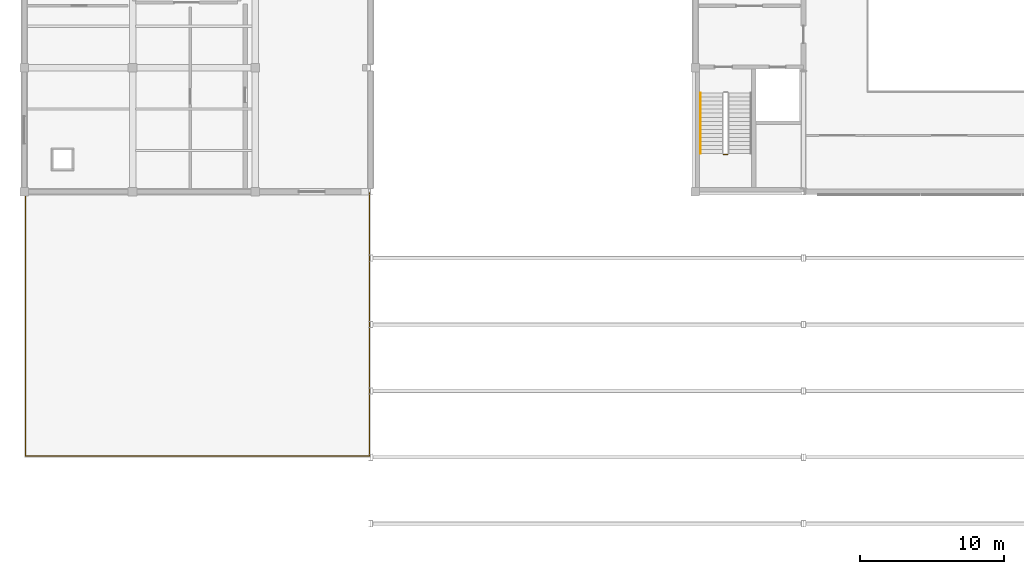
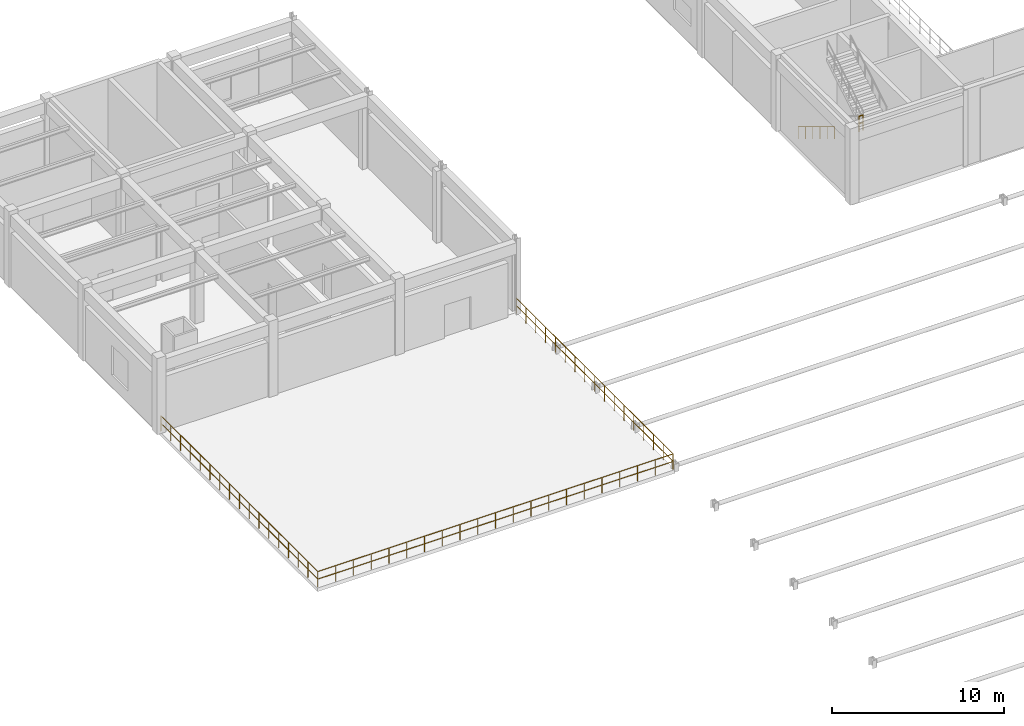
# One storey, part 36 of 38: 5 railings.
"""IFC4 building model written with IfcOpenShell, lengths in metres."""

import ifcopenshell
import ifcopenshell.guid

model = None  # the IFC model being written
_history = None  # IfcOwnerHistory: only IFC2X3 demands one
_inside = {}  # id of a spatial element -> (the spatial element, [elements in it])
_under = {}  # id of a project, library or spatial element -> (it, [spatial elements below it])
_declared = {}  # id of a project -> (the project, [libraries it declares])
_typed = {}  # id of a type object -> (the type object, [elements of that type])
_made_of = {}  # id of a material, layer set ... -> (it, [elements and type objects made of it])


def new_model(schema):
    """Start an empty IFC model of exactly this schema.

    Asked for "IFC4X3", IfcOpenShell would pick the latest addendum, in which some entities
    have other attributes; the version numbers below select the first issue.
    IFC2X3 requires an IfcOwnerHistory on every rooted entity: one is made here for all.
    """
    global model, _history
    if schema == "IFC4X3":
        model = ifcopenshell.file(schema_version=(4, 3, 0, 0))
    else:
        model = ifcopenshell.file(schema=schema)
    _inside.clear()
    _under.clear()
    _declared.clear()
    _typed.clear()
    _made_of.clear()
    _history = None
    if model.schema == "IFC2X3":
        org = make("IfcOrganization", Name="unknown")
        user = make(
            "IfcPersonAndOrganization",
            ThePerson=make("IfcPerson", FamilyName="unknown"),
            TheOrganization=org,
        )
        app = make(
            "IfcApplication",
            ApplicationDeveloper=org,
            Version="unknown",
            ApplicationFullName="unknown",
            ApplicationIdentifier="unknown",
        )
        _history = make(
            "IfcOwnerHistory",
            OwningUser=user,
            OwningApplication=app,
            ChangeAction="ADDED",
            CreationDate=0,
        )
    return model


def make(cls, **values):
    """One entity of the class cls with the attributes given. An attribute that is None is left unset."""
    return model.create_entity(
        cls, **{name: value for name, value in values.items() if value is not None}
    )


def rooted(cls, **values):
    """An entity with a GlobalId (a new one), such as an element, a storey or a relation."""
    return make(cls, GlobalId=ifcopenshell.guid.new(), OwnerHistory=_history, **values)


def si_unit(unit_type, name, prefix=None):
    """IfcSIUnit, for example si_unit("LENGTHUNIT", "METRE", prefix="MILLI")."""
    return make("IfcSIUnit", UnitType=unit_type, Prefix=prefix, Name=name)


def assignment(units):
    """IfcUnitAssignment: the units of a project."""
    return None if units is None else make("IfcUnitAssignment", Units=units)


def point(xyz):
    """IfcCartesianPoint."""
    return None if xyz is None else make("IfcCartesianPoint", Coordinates=xyz)


def direction(xyz):
    """IfcDirection."""
    return None if xyz is None else make("IfcDirection", DirectionRatios=xyz)


def frame(location, z_axis=None, x_axis=None):
    """IfcAxis2Placement3D, a coordinate frame: its origin and axes. An axis left out is left unset."""
    return make(
        "IfcAxis2Placement3D",
        Location=point(location),
        Axis=direction(z_axis),
        RefDirection=direction(x_axis),
    )


def frame_2d(location, x_axis=None):
    """IfcAxis2Placement2D, a coordinate frame in the plane: its origin and x axis."""
    return make(
        "IfcAxis2Placement2D", Location=point(location), RefDirection=direction(x_axis)
    )


def origin():
    """The frame at (0, 0, 0) with its axes left unset."""
    return frame((0.0, 0.0, 0.0))


def origin_2d():
    """The frame at (0, 0) in the plane with its x axis left unset."""
    return frame_2d((0.0, 0.0))


def place(relative_to, where):
    """IfcLocalPlacement: puts the frame where relative to a parent placement (None: the world)."""
    return make(
        "IfcLocalPlacement", PlacementRelTo=relative_to, RelativePlacement=where
    )


def context(
    kind, dimensions, precision=None, world=None, true_north=None, identifier=None
):
    """IfcGeometricRepresentationContext, for example the 3D "Model" context."""
    return make(
        "IfcGeometricRepresentationContext",
        ContextIdentifier=identifier,
        ContextType=kind,
        CoordinateSpaceDimension=dimensions,
        Precision=precision,
        WorldCoordinateSystem=world,
        TrueNorth=true_north,
    )


def subcontext(parent, identifier, kind, view, scale=None):
    """IfcGeometricRepresentationSubContext, for example "Body" below "Model"."""
    return make(
        "IfcGeometricRepresentationSubContext",
        ContextIdentifier=identifier,
        ContextType=kind,
        ParentContext=parent,
        TargetScale=scale,
        TargetView=view,
    )


def project(units=None, contexts=None):
    """IfcProject with its units and contexts."""
    return rooted(
        "IfcProject",
        Name="project",
        RepresentationContexts=contexts,
        UnitsInContext=assignment(units),
    )


def spatial(cls, under=None, at=None, **own):
    """A site, building, storey or space (cls), placed at a placement, below another one or the project."""
    s = rooted(cls, ObjectPlacement=at, **own)
    if under is not None:
        _under.setdefault(under.id(), (under, []))[1].append(s)
    return s


def profile(cls, at=None, kind="AREA", **sizes):
    """A parametric profile (cls). Its sizes go by their IFC names, for example OverallWidth=200.0."""
    return make(cls, ProfileType=kind, Position=at, **sizes)


def circle(**sizes):
    """IfcCircleProfileDef."""
    return profile("IfcCircleProfileDef", **sizes)


def extrude(swept, where, along, depth):
    """IfcExtrudedAreaSolid: the profile swept, set in the frame where, extruded along a direction by depth."""
    return make(
        "IfcExtrudedAreaSolid",
        SweptArea=swept,
        Position=where,
        ExtrudedDirection=direction(along),
        Depth=depth,
    )


def shape(context_of_items, identifier, shape_type, items):
    """IfcShapeRepresentation: the items that make up one representation, for example the "Body"."""
    return make(
        "IfcShapeRepresentation",
        ContextOfItems=context_of_items,
        RepresentationIdentifier=identifier,
        RepresentationType=shape_type,
        Items=items,
    )


def material(Name=None, Category=None):
    """IfcMaterial."""
    return make("IfcMaterial", Name=Name, Category=Category)


def made_of(thing, what):
    """Note that an element or type object is made of a material, layer set ...; save() writes the relation."""
    if what is not None:
        _made_of.setdefault(what.id(), (what, []))[1].append(thing)
    return thing


def type_object(cls, material=None, **own):
    """A type object (cls), such as IfcWallType, which elements share."""
    return made_of(rooted(cls, **own), material)


def element(
    cls,
    number,
    at=None,
    inside=None,
    cuts=None,
    type_object=None,
    material=None,
    context=None,
    identifier="Body",
    shape_type=None,
    held_by="IfcProductDefinitionShape",
    body=None,
    shapes=None,
    **own,
):
    """One element of the class cls, such as IfcWall. Its Tag is "e" and its number.

    at: its placement. inside: the storey or other place that contains it. cuts: it is an
    opening in that element (IfcRelVoidsElement). A single representation is given by context,
    identifier, shape_type and body (its items); several are given by shapes. held_by: the class
    of the entity that holds the representations. save() writes the other relations.
    """
    e = rooted(cls, Tag="e%d" % number, ObjectPlacement=at, **own)
    if body is not None:
        shapes = [shape(context, identifier, shape_type, body)]
    if shapes is not None:
        e.Representation = make(held_by, Representations=shapes)
    if inside is not None:
        _inside.setdefault(inside.id(), (inside, []))[1].append(e)
    if cuts is not None:
        rooted(
            "IfcRelVoidsElement", RelatingBuildingElement=cuts, RelatedOpeningElement=e
        )
    if type_object is not None:
        _typed.setdefault(type_object.id(), (type_object, []))[1].append(e)
    return made_of(e, material)


def aggregate(whole, parts):
    """IfcRelAggregates: a whole, such as a stair, and the parts it consists of."""
    return rooted("IfcRelAggregates", RelatingObject=whole, RelatedObjects=parts)


def save(model, path):
    """Write the relations noted so far, then the file.

    IfcRelAggregates (storeys below a building ...), IfcRelContainedInSpatialStructure (elements
    in a storey), IfcRelDefinesByType, IfcRelAssociatesMaterial and IfcRelDeclares: one each for
    every whole, place, type object, material and project.
    """
    for whole, parts in _under.values():
        aggregate(whole, parts)
    for where, things in _inside.values():
        rooted(
            "IfcRelContainedInSpatialStructure",
            RelatedElements=things,
            RelatingStructure=where,
        )
    for kind, things in _typed.values():
        rooted("IfcRelDefinesByType", RelatedObjects=things, RelatingType=kind)
    for what, things in _made_of.values():
        rooted("IfcRelAssociatesMaterial", RelatedObjects=things, RelatingMaterial=what)
    for by, libraries in _declared.values():
        rooted("IfcRelDeclares", RelatingContext=by, RelatedDefinitions=libraries)
    model.write(path)


model = new_model("IFC4")

# Units and contexts
model_context = context("Model", 3, precision=1e-05, world=origin(), true_north=direction((0.0, 1.0)))
body_context = subcontext(model_context, "Body", "Model", "MODEL_VIEW")
ifc_project = project(units=[si_unit("LENGTHUNIT", "METRE"), si_unit("AREAUNIT", "SQUARE_METRE"), si_unit("VOLUMEUNIT", "CUBIC_METRE"), si_unit("PLANEANGLEUNIT", "RADIAN"), si_unit("MASSUNIT", "GRAM", prefix="KILO")], contexts=[model_context])

# Site, building, storey
site_placement = place(None, origin())
site = spatial("IfcSite", under=ifc_project, at=site_placement, CompositionType="ELEMENT")
building_placement = place(site_placement, origin())
building = spatial("IfcBuilding", under=site, at=building_placement, Name="Muzn Square Opera House", CompositionType="ELEMENT")
storey_placement = place(building_placement, frame((0.0, 0.0, 18.0)))
storey = spatial("IfcBuildingStorey", under=building, at=storey_placement, Name="L04", CompositionType="ELEMENT", Elevation=18.0)

# Railings
ifc_material_1 = material(Name="Architectural bronze mashrabiya", Category="metal")
railing_type_1 = type_object("IfcRailingType", Name="Bronze Protective Balustrade 1120mm", PredefinedType="BALUSTRADE", material=ifc_material_1)
railing_1_placement = place(storey_placement, frame((19.080078125, 54.280029296875, 0.0)))
element("IfcRailing", 1, at=railing_1_placement, inside=storey, type_object=railing_type_1, Name="West Roof Terrace Balustrade L04-0185", PredefinedType="BALUSTRADE", context=body_context, shape_type="SweptSolid", body=[
    extrude(circle(Radius=0.02392578125, at=origin_2d()), frame((0.0, 0.0, 1.09619140625), z_axis=(1.0, 0.0, 0.0), x_axis=(0.0, 1.0, 0.0)), (0.0, 0.0, 1.0), 23.83984375),
    extrude(circle(Radius=0.02392578125, at=origin_2d()), frame((0.0, 0.0, 0.56005859375), z_axis=(1.0, 0.0, 0.0), x_axis=(0.0, 1.0, 0.0)), (0.0, 0.0, 1.0), 23.83984375),
    extrude(circle(Radius=0.02099609375, at=origin_2d()), origin(), (0.0, 0.0, 1.0), 1.072021484375),
    extrude(circle(Radius=0.02099609375, at=origin_2d()), frame((1.19189453125, 0.0, 0.0)), (0.0, 0.0, 1.0), 1.072021484375),
    extrude(circle(Radius=0.02099609375, at=origin_2d()), frame((2.384033203125, 0.0, 0.0)), (0.0, 0.0, 1.0), 1.072021484375),
    extrude(circle(Radius=0.02099609375, at=origin_2d()), frame((3.575927734375, 0.0, 0.0)), (0.0, 0.0, 1.0), 1.072021484375),
    extrude(circle(Radius=0.02099609375, at=origin_2d()), frame((4.76806640625, 0.0, 0.0)), (0.0, 0.0, 1.0), 1.072021484375),
    extrude(circle(Radius=0.02099609375, at=origin_2d()), frame((5.9599609375, 0.0, 0.0)), (0.0, 0.0, 1.0), 1.072021484375),
    extrude(circle(Radius=0.02099609375, at=origin_2d()), frame((7.15185546875, 0.0, 0.0)), (0.0, 0.0, 1.0), 1.072021484375),
    extrude(circle(Radius=0.02099609375, at=origin_2d()), frame((8.343994140625, 0.0, 0.0)), (0.0, 0.0, 1.0), 1.072021484375),
    extrude(circle(Radius=0.02099609375, at=origin_2d()), frame((9.535888671875, 0.0, 0.0)), (0.0, 0.0, 1.0), 1.072021484375),
    extrude(circle(Radius=0.02099609375, at=origin_2d()), frame((10.72802734375, 0.0, 0.0)), (0.0, 0.0, 1.0), 1.072021484375),
    extrude(circle(Radius=0.02099609375, at=origin_2d()), frame((11.919921875, 0.0, 0.0)), (0.0, 0.0, 1.0), 1.072021484375),
    extrude(circle(Radius=0.02099609375, at=origin_2d()), frame((13.11181640625, 0.0, 0.0)), (0.0, 0.0, 1.0), 1.072021484375),
    extrude(circle(Radius=0.02099609375, at=origin_2d()), frame((14.303955078125, 0.0, 0.0)), (0.0, 0.0, 1.0), 1.072021484375),
    extrude(circle(Radius=0.02099609375, at=origin_2d()), frame((15.495849609375, 0.0, 0.0)), (0.0, 0.0, 1.0), 1.072021484375),
    extrude(circle(Radius=0.02099609375, at=origin_2d()), frame((16.68798828125, 0.0, 0.0)), (0.0, 0.0, 1.0), 1.072021484375),
    extrude(circle(Radius=0.02099609375, at=origin_2d()), frame((17.8798828125, 0.0, 0.0)), (0.0, 0.0, 1.0), 1.072021484375),
    extrude(circle(Radius=0.02099609375, at=origin_2d()), frame((19.07177734375, 0.0, 0.0)), (0.0, 0.0, 1.0), 1.072021484375),
    extrude(circle(Radius=0.02099609375, at=origin_2d()), frame((20.263916015625, 0.0, 0.0)), (0.0, 0.0, 1.0), 1.072021484375),
    extrude(circle(Radius=0.02099609375, at=origin_2d()), frame((21.455810546875, 0.0, 0.0)), (0.0, 0.0, 1.0), 1.072021484375),
    extrude(circle(Radius=0.02099609375, at=origin_2d()), frame((22.64794921875, 0.0, 0.0)), (0.0, 0.0, 1.0), 1.072021484375),
    extrude(circle(Radius=0.02099609375, at=origin_2d()), frame((23.83984375, 0.0, 0.0)), (0.0, 0.0, 1.0), 1.072021484375),
])
railing_2_placement = place(storey_placement, frame((42.919921875, 54.280029296875, 0.0)))
element("IfcRailing", 2, at=railing_2_placement, inside=storey, type_object=railing_type_1, Name="West Roof Terrace Balustrade L04-0186", PredefinedType="BALUSTRADE", context=body_context, shape_type="SweptSolid", body=[
    extrude(circle(Radius=0.02392578125, at=origin_2d()), frame((0.0, 0.0, 1.09619140625), z_axis=(0.0, 1.0, 0.0), x_axis=(-1.0, 0.0, 0.0)), (0.0, 0.0, 1.0), 18.239990234375),
    extrude(circle(Radius=0.02392578125, at=origin_2d()), frame((0.0, 0.0, 0.56005859375), z_axis=(0.0, 1.0, 0.0), x_axis=(-1.0, 0.0, 0.0)), (0.0, 0.0, 1.0), 18.239990234375),
    extrude(circle(Radius=0.02099609375, at=origin_2d()), origin(), (0.0, 0.0, 1.0), 1.072021484375),
    extrude(circle(Radius=0.02099609375, at=origin_2d()), frame((0.0, 1.139892578125, 0.0)), (0.0, 0.0, 1.0), 1.072021484375),
    extrude(circle(Radius=0.02099609375, at=origin_2d()), frame((0.0, 2.280029296875, 0.0)), (0.0, 0.0, 1.0), 1.072021484375),
    extrude(circle(Radius=0.02099609375, at=origin_2d()), frame((0.0, 3.419921875, 0.0)), (0.0, 0.0, 1.0), 1.072021484375),
    extrude(circle(Radius=0.02099609375, at=origin_2d()), frame((0.0, 4.56005859375, 0.0)), (0.0, 0.0, 1.0), 1.072021484375),
    extrude(circle(Radius=0.02099609375, at=origin_2d()), frame((0.0, 5.699951171875, 0.0)), (0.0, 0.0, 1.0), 1.072021484375),
    extrude(circle(Radius=0.02099609375, at=origin_2d()), frame((0.0, 6.840087890625, 0.0)), (0.0, 0.0, 1.0), 1.072021484375),
    extrude(circle(Radius=0.02099609375, at=origin_2d()), frame((0.0, 7.97998046875, 0.0)), (0.0, 0.0, 1.0), 1.072021484375),
    extrude(circle(Radius=0.02099609375, at=origin_2d()), frame((0.0, 9.1201171875, 0.0)), (0.0, 0.0, 1.0), 1.072021484375),
    extrude(circle(Radius=0.02099609375, at=origin_2d()), frame((0.0, 10.260009765625, 0.0)), (0.0, 0.0, 1.0), 1.072021484375),
    extrude(circle(Radius=0.02099609375, at=origin_2d()), frame((0.0, 11.39990234375, 0.0)), (0.0, 0.0, 1.0), 1.072021484375),
    extrude(circle(Radius=0.02099609375, at=origin_2d()), frame((0.0, 12.5400390625, 0.0)), (0.0, 0.0, 1.0), 1.072021484375),
    extrude(circle(Radius=0.02099609375, at=origin_2d()), frame((0.0, 13.679931640625, 0.0)), (0.0, 0.0, 1.0), 1.072021484375),
    extrude(circle(Radius=0.02099609375, at=origin_2d()), frame((0.0, 14.820068359375, 0.0)), (0.0, 0.0, 1.0), 1.072021484375),
    extrude(circle(Radius=0.02099609375, at=origin_2d()), frame((0.0, 15.9599609375, 0.0)), (0.0, 0.0, 1.0), 1.072021484375),
    extrude(circle(Radius=0.02099609375, at=origin_2d()), frame((0.0, 17.10009765625, 0.0)), (0.0, 0.0, 1.0), 1.072021484375),
    extrude(circle(Radius=0.02099609375, at=origin_2d()), frame((0.0, 18.239990234375, 0.0)), (0.0, 0.0, 1.0), 1.072021484375),
])
railing_3_placement = place(storey_placement, frame((19.080078125, 72.52001953125, 0.0)))
element("IfcRailing", 3, at=railing_3_placement, inside=storey, type_object=railing_type_1, Name="West Roof Terrace Balustrade L04-0187", PredefinedType="BALUSTRADE", context=body_context, shape_type="SweptSolid", body=[
    extrude(circle(Radius=0.02392578125, at=origin_2d()), frame((0.0, 0.0, 1.09619140625), z_axis=(0.0, -1.0, 0.0), x_axis=(1.0, 0.0, 0.0)), (0.0, 0.0, 1.0), 18.239990234375),
    extrude(circle(Radius=0.02392578125, at=origin_2d()), frame((0.0, 0.0, 0.56005859375), z_axis=(0.0, -1.0, 0.0), x_axis=(1.0, 0.0, 0.0)), (0.0, 0.0, 1.0), 18.239990234375),
    extrude(circle(Radius=0.02099609375, at=origin_2d()), origin(), (0.0, 0.0, 1.0), 1.072021484375),
    extrude(circle(Radius=0.02099609375, at=origin_2d()), frame((0.0, -1.139892578125, 0.0)), (0.0, 0.0, 1.0), 1.072021484375),
    extrude(circle(Radius=0.02099609375, at=origin_2d()), frame((0.0, -2.280029296875, 0.0)), (0.0, 0.0, 1.0), 1.072021484375),
    extrude(circle(Radius=0.02099609375, at=origin_2d()), frame((0.0, -3.419921875, 0.0)), (0.0, 0.0, 1.0), 1.072021484375),
    extrude(circle(Radius=0.02099609375, at=origin_2d()), frame((0.0, -4.56005859375, 0.0)), (0.0, 0.0, 1.0), 1.072021484375),
    extrude(circle(Radius=0.02099609375, at=origin_2d()), frame((0.0, -5.699951171875, 0.0)), (0.0, 0.0, 1.0), 1.072021484375),
    extrude(circle(Radius=0.02099609375, at=origin_2d()), frame((0.0, -6.840087890625, 0.0)), (0.0, 0.0, 1.0), 1.072021484375),
    extrude(circle(Radius=0.02099609375, at=origin_2d()), frame((0.0, -7.97998046875, 0.0)), (0.0, 0.0, 1.0), 1.072021484375),
    extrude(circle(Radius=0.02099609375, at=origin_2d()), frame((0.0, -9.1201171875, 0.0)), (0.0, 0.0, 1.0), 1.072021484375),
    extrude(circle(Radius=0.02099609375, at=origin_2d()), frame((0.0, -10.260009765625, 0.0)), (0.0, 0.0, 1.0), 1.072021484375),
    extrude(circle(Radius=0.02099609375, at=origin_2d()), frame((0.0, -11.39990234375, 0.0)), (0.0, 0.0, 1.0), 1.072021484375),
    extrude(circle(Radius=0.02099609375, at=origin_2d()), frame((0.0, -12.5400390625, 0.0)), (0.0, 0.0, 1.0), 1.072021484375),
    extrude(circle(Radius=0.02099609375, at=origin_2d()), frame((0.0, -13.679931640625, 0.0)), (0.0, 0.0, 1.0), 1.072021484375),
    extrude(circle(Radius=0.02099609375, at=origin_2d()), frame((0.0, -14.820068359375, 0.0)), (0.0, 0.0, 1.0), 1.072021484375),
    extrude(circle(Radius=0.02099609375, at=origin_2d()), frame((0.0, -15.9599609375, 0.0)), (0.0, 0.0, 1.0), 1.072021484375),
    extrude(circle(Radius=0.02099609375, at=origin_2d()), frame((0.0, -17.10009765625, 0.0)), (0.0, 0.0, 1.0), 1.072021484375),
    extrude(circle(Radius=0.02099609375, at=origin_2d()), frame((0.0, -18.239990234375, 0.0)), (0.0, 0.0, 1.0), 1.072021484375),
])
ifc_material_2 = material(Name="Brushed stainless steel", Category="metal")
railing_type_2 = type_object("IfcRailingType", Name="Stair Guard Railing 1120mm", PredefinedType="GUARDRAIL", material=ifc_material_2)
railing_4_placement = place(storey_placement, frame((67.4599609375, 75.18994140625, 2.699951171875)))
element("IfcRailing", 4, at=railing_4_placement, inside=storey, type_object=railing_type_2, Name="L04 ST-1 stair guard 2", PredefinedType="GUARDRAIL", context=body_context, shape_type="SweptSolid", body=[
    extrude(circle(Radius=0.02392578125, at=origin_2d()), frame((0.0, 0.0, 1.076171875), z_axis=(1.0, 0.0, 0.0), x_axis=(0.0, 1.0, 0.0)), (0.0, 0.0, 1.0), 0.280029296875),
    extrude(circle(Radius=0.02392578125, at=origin_2d()), frame((0.0, 0.0, 0.550048828125), z_axis=(1.0, 0.0, 0.0), x_axis=(0.0, 1.0, 0.0)), (0.0, 0.0, 1.0), 0.280029296875),
    extrude(circle(Radius=0.02099609375, at=origin_2d()), origin(), (0.0, 0.0, 1.0), 1.052001953125),
    extrude(circle(Radius=0.02099609375, at=origin_2d()), frame((0.280029296875, 0.0, 0.0)), (0.0, 0.0, 1.0), 1.052001953125),
])
railing_type_3 = type_object("IfcRailingType", Name="Stair Pitch Handrail 900mm", PredefinedType="HANDRAIL", material=ifc_material_2)
railing_5_placement = place(storey_placement, frame((65.85009765625, 79.43994140625, 0.168701171875)))
element("IfcRailing", 5, at=railing_5_placement, inside=storey, type_object=railing_type_3, Name="L04 ST-1 stair handrail 1", PredefinedType="HANDRAIL", context=body_context, shape_type="SweptSolid", body=[
    extrude(circle(Radius=0.02392578125, at=origin_2d()), frame((0.0, 0.0, 0.8759765625), z_axis=(0.0, -0.856476492594, 0.516186030065), x_axis=(1.0, 0.0, 0.0)), (0.0, 0.0, 1.0), 4.90380859375),
    extrude(circle(Radius=0.02099609375, at=origin_2d()), origin(), (0.0, 0.0, 1.0), 0.851806640625),
    extrude(circle(Radius=0.02099609375, at=origin_2d()), frame((0.0, -0.840087890625, 0.50634765625)), (0.0, 0.0, 1.0), 0.851806640625),
    extrude(circle(Radius=0.02099609375, at=origin_2d()), frame((0.0, -1.679931640625, 1.012451171875)), (0.0, 0.0, 1.0), 0.851806640625),
    extrude(circle(Radius=0.02099609375, at=origin_2d()), frame((0.0, -2.52001953125, 1.518798828125)), (0.0, 0.0, 1.0), 0.851806640625),
    extrude(circle(Radius=0.02099609375, at=origin_2d()), frame((0.0, -3.35986328125, 2.02490234375)), (0.0, 0.0, 1.0), 0.851806640625),
    extrude(circle(Radius=0.02099609375, at=origin_2d()), frame((0.0, -4.199951171875, 2.53125)), (0.0, 0.0, 1.0), 0.851806640625),
])

save(model, "model.ifc")
